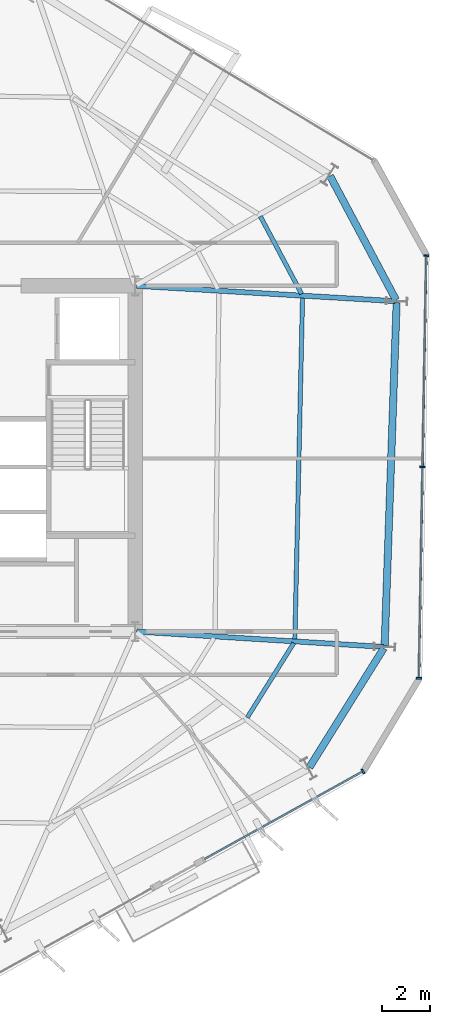
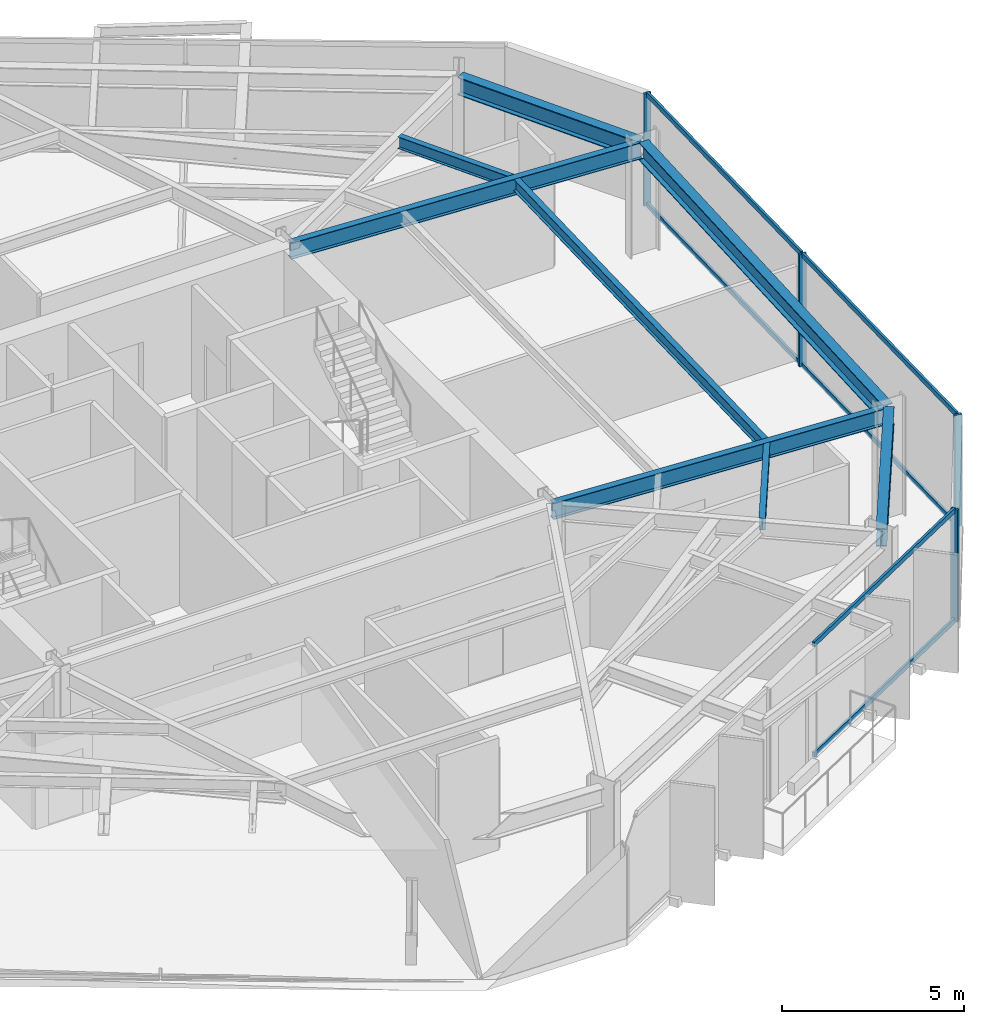
# One storey, part 4 of 11: 10 members, 8 beams, 2 elements without a shape of their own.
"""IFC4 building model written with IfcOpenShell, lengths in metres."""

from ifc_helpers import new_model, si_unit, direction, frame, origin, origin_2d, place, context, subcontext, project, spatial, rectangle, i_section, extrude, material, layer, layer_set, material_profile, profile_set, type_object, element, aggregate, save


model = new_model("IFC4")

# Units and contexts
model_context = context("Model", 3, precision=1e-05, world=origin(), true_north=direction((0.0, 1.0)))
body_context = subcontext(model_context, "Body", "Model", "MODEL_VIEW")
ifc_project = project(units=[si_unit("LENGTHUNIT", "METRE"), si_unit("AREAUNIT", "SQUARE_METRE"), si_unit("VOLUMEUNIT", "CUBIC_METRE"), si_unit("PLANEANGLEUNIT", "RADIAN"), si_unit("MASSUNIT", "GRAM", prefix="KILO")], contexts=[model_context])

# Site, building, storey
site_placement = place(None, origin())
site = spatial("IfcSite", under=ifc_project, at=site_placement, CompositionType="ELEMENT")
building_placement = place(site_placement, origin())
building = spatial("IfcBuilding", under=site, at=building_placement, Name="Kranzbogen Civic Tower", CompositionType="ELEMENT")
storey_placement = place(building_placement, frame((0.0, 0.0, 138.39990234375)))
storey = spatial("IfcBuildingStorey", under=building, at=storey_placement, Name="L33", CompositionType="ELEMENT", Elevation=138.39990234375)

# Curtain wall, member
ifc_material_1 = material(Name="Pale Anodised Aluminium", Category="aluminium")
ifc_layer = layer(ifc_material_1, 0.219970703125, Name="Pale Anodised Aluminium")
ifc_layer_set = layer_set([ifc_layer], Name="Pale Anodised Aluminium")
curtain_wall_type = type_object("IfcCurtainWallType", Name="Zone 2 Stick Curtain Wall System CW-03", PredefinedType="USERDEFINED", material=ifc_layer_set)
curtain_wall_1_placement = place(storey_placement, origin())
curtain_wall_1 = element("IfcCurtainWall", 1, at=curtain_wall_1_placement, inside=storey, type_object=curtain_wall_type, Name="L33 curtain wall CW-L33-F5-S2", ObjectType="STICK CURTAIN WALL", PredefinedType="USERDEFINED")
ifc_material_profile_1 = material_profile(ifc_material_1, rectangle(XDim=0.074951171875, YDim=0.219970703125, at=origin_2d()), Name="ALU-M 75x220")
ifc_profile_set_1 = profile_set([ifc_material_profile_1], Name="Pale Anodised Aluminium")
member_type_1 = type_object("IfcMemberType", Name="Curtain Wall Mullion ALU-M 75x220", PredefinedType="MULLION", material=ifc_profile_set_1)
member_1_placement = place(storey_placement, frame((42.28564453125, 11.975341796875, 0.0), z_axis=(0.0, 0.0, 1.0), x_axis=(0.874626457599, 0.484797441894, 0.0)))
member_1 = element("IfcMember", 2, at=member_1_placement, type_object=member_type_1, Name="CW-03 mullion 2", PredefinedType="MULLION", context=body_context, shape_type="SweptSolid", body=[
    extrude(rectangle(XDim=0.074951171875, YDim=0.219970703125, at=origin_2d()), origin(), (0.0, 0.0, 1.0), 3.760009765625),
])

# Curtain wall, members
curtain_wall_2_placement = place(storey_placement, origin())
curtain_wall_2 = element("IfcCurtainWall", 3, at=curtain_wall_2_placement, inside=storey, type_object=curtain_wall_type, Name="L33 curtain wall CW-L33-F6", ObjectType="STICK CURTAIN WALL", PredefinedType="USERDEFINED")
member_2_placement = place(storey_placement, frame((44.615478515625, 15.85205078125, 0.0), z_axis=(0.0, 0.0, 1.0), x_axis=(0.017431971008, 0.999848051649, 0.0)))
member_2 = element("IfcMember", 4, at=member_2_placement, type_object=member_type_1, Name="CW-03 mullion 1", PredefinedType="MULLION", context=body_context, shape_type="SweptSolid", body=[
    extrude(rectangle(XDim=0.074951171875, YDim=0.219970703125, at=origin_2d()), origin(), (0.0, 0.0, 1.0), 3.760009765625),
])
member_3_placement = place(storey_placement, frame((44.76904296875, 24.655029296875, 0.0), z_axis=(0.0, 0.0, 1.0), x_axis=(0.017431971008, 0.999848051649, 0.0)))
member_3 = element("IfcMember", 5, at=member_3_placement, type_object=member_type_1, Name="CW-03 mullion 2", PredefinedType="MULLION", context=body_context, shape_type="SweptSolid", body=[
    extrude(rectangle(XDim=0.074951171875, YDim=0.219970703125, at=origin_2d()), origin(), (0.0, 0.0, 1.0), 3.760009765625),
])
member_4_placement = place(storey_placement, frame((44.92236328125, 33.4580078125, 0.0), z_axis=(0.0, 0.0, 1.0), x_axis=(0.017431971008, 0.999848051649, 0.0)))
member_4 = element("IfcMember", 6, at=member_4_placement, type_object=member_type_1, Name="CW-03 mullion 3", PredefinedType="MULLION", context=body_context, shape_type="SweptSolid", body=[
    extrude(rectangle(XDim=0.074951171875, YDim=0.219970703125, at=origin_2d()), origin(), (0.0, 0.0, 1.0), 3.760009765625),
])

# Member
ifc_material_profile_2 = material_profile(ifc_material_1, rectangle(XDim=0.074951171875, YDim=0.1650390625, at=origin_2d()), Name="ALU-T 75x165")
ifc_profile_set_2 = profile_set([ifc_material_profile_2], Name="Pale Anodised Aluminium")
member_type_2 = type_object("IfcMemberType", Name="Curtain Wall Transom ALU-T 75x165", PredefinedType="USERDEFINED", material=ifc_profile_set_2)
member_5_placement = place(storey_placement, frame((35.6875, 8.318115234375, 0.030029296875), z_axis=(0.874625842729, 0.484798551185, 0.0), x_axis=(-0.484798551185, 0.874625842729, 0.0)))
member_5 = element("IfcMember", 7, at=member_5_placement, type_object=member_type_2, Name="CW-03 transom 1.1", ObjectType="TRANSOM", PredefinedType="USERDEFINED", context=body_context, shape_type="SweptSolid", body=[
    extrude(rectangle(XDim=0.074951171875, YDim=0.1650390625, at=origin_2d()), origin(), (0.0, 0.0, 1.0), 7.51416015625),
])

member_6_placement = place(storey_placement, frame((35.6875, 8.318115234375, 3.72998046875), z_axis=(0.874625842729, 0.484798551185, 0.0), x_axis=(-0.484798551185, 0.874625842729, 0.0)))
member_6 = element("IfcMember", 8, at=member_6_placement, type_object=member_type_2, Name="CW-03 transom 1.2", ObjectType="TRANSOM", PredefinedType="USERDEFINED", context=body_context, shape_type="SweptSolid", body=[
    extrude(rectangle(XDim=0.074951171875, YDim=0.1650390625, at=origin_2d()), origin(), (0.0, 0.0, 1.0), 7.51416015625),
])

aggregate(curtain_wall_1, [member_1, member_5, member_6])

member_7_placement = place(storey_placement, frame((44.615966796875, 15.882080078125, 0.030029296875), z_axis=(0.017450080558, 0.999847735752, 0.0), x_axis=(-0.999847735752, 0.017450080558, 0.0)))
member_7 = element("IfcMember", 9, at=member_7_placement, type_object=member_type_2, Name="CW-03 transom 1.1", ObjectType="TRANSOM", PredefinedType="USERDEFINED", context=body_context, shape_type="SweptSolid", body=[
    extrude(rectangle(XDim=0.074951171875, YDim=0.1650390625, at=origin_2d()), origin(), (0.0, 0.0, 1.0), 8.744140625),
])

member_8_placement = place(storey_placement, frame((44.615966796875, 15.882080078125, 3.72998046875), z_axis=(0.017450080558, 0.999847735752, 0.0), x_axis=(-0.999847735752, 0.017450080558, 0.0)))
member_8 = element("IfcMember", 10, at=member_8_placement, type_object=member_type_2, Name="CW-03 transom 1.2", ObjectType="TRANSOM", PredefinedType="USERDEFINED", context=body_context, shape_type="SweptSolid", body=[
    extrude(rectangle(XDim=0.074951171875, YDim=0.1650390625, at=origin_2d()), origin(), (0.0, 0.0, 1.0), 8.744140625),
])

member_9_placement = place(storey_placement, frame((44.76953125, 24.68505859375, 0.030029296875), z_axis=(0.01742216891, 0.999848222497, 0.0), x_axis=(-0.999848222497, 0.01742216891, 0.0)))
member_9 = element("IfcMember", 11, at=member_9_placement, type_object=member_type_2, Name="CW-03 transom 2.1", ObjectType="TRANSOM", PredefinedType="USERDEFINED", context=body_context, shape_type="SweptSolid", body=[
    extrude(rectangle(XDim=0.074951171875, YDim=0.1650390625, at=origin_2d()), origin(), (0.0, 0.0, 1.0), 8.744140625),
])

member_10_placement = place(storey_placement, frame((44.76953125, 24.68505859375, 3.72998046875), z_axis=(0.01742216891, 0.999848222497, 0.0), x_axis=(-0.999848222497, 0.01742216891, 0.0)))
member_10 = element("IfcMember", 12, at=member_10_placement, type_object=member_type_2, Name="CW-03 transom 2.2", ObjectType="TRANSOM", PredefinedType="USERDEFINED", context=body_context, shape_type="SweptSolid", body=[
    extrude(rectangle(XDim=0.074951171875, YDim=0.1650390625, at=origin_2d()), origin(), (0.0, 0.0, 1.0), 8.744140625),
])

aggregate(curtain_wall_2, [member_2, member_3, member_4, member_7, member_8, member_9, member_10])

# Beams
ifc_material_2 = material(Name="Steel S355", Category="steel")
ifc_material_profile_3 = material_profile(ifc_material_2, i_section(OverallWidth=0.300048828125, OverallDepth=0.60009765625, WebThickness=0.015380859375, FlangeThickness=0.030029296875, at=origin_2d()), Name="HEB 600")
ifc_profile_set_3 = profile_set([ifc_material_profile_3], Name="Steel S355")
beam_type_1 = type_object("IfcBeamType", Name="Perimeter Tube Spandrel Beam HEB 600", PredefinedType="SPANDREL", material=ifc_profile_set_3)
beam_1_placement = place(storey_placement, frame((40.054931640625, 12.14306640625, 3.460205078125), z_axis=(0.529863902903, 0.848082687242, 0.0), x_axis=(-0.848082687242, 0.529863902903, 0.0)))
element("IfcBeam", 13, at=beam_1_placement, inside=storey, type_object=beam_type_1, Name="L33 perimeter spandrel beam 05", PredefinedType="SPANDREL", context=body_context, shape_type="SweptSolid", body=[
    extrude(i_section(OverallWidth=0.300048828125, OverallDepth=0.60009765625, WebThickness=0.015380859375, FlangeThickness=0.030029296875, at=origin_2d()), origin(), (0.0, 0.0, 1.0), 5.850830078125),
])
beam_2_placement = place(storey_placement, frame((43.18896484375, 17.216064453125, 3.460205078125), z_axis=(0.034924229103, 0.999389963038, 0.0), x_axis=(-0.999389963038, 0.034924229103, 0.0)))
element("IfcBeam", 14, at=beam_2_placement, inside=storey, type_object=beam_type_1, Name="L33 perimeter spandrel beam 06", PredefinedType="SPANDREL", context=body_context, shape_type="SweptSolid", body=[
    extrude(i_section(OverallWidth=0.300048828125, OverallDepth=0.60009765625, WebThickness=0.015380859375, FlangeThickness=0.030029296875, at=origin_2d()), origin(), (0.0, 0.0, 1.0), 14.288818359375),
])
beam_3_placement = place(storey_placement, frame((43.662109375, 31.60888671875, 3.460205078125), z_axis=(-0.469565926668, 0.882897412224, 0.0), x_axis=(-0.882897412224, -0.469565926668, 0.0)))
element("IfcBeam", 15, at=beam_3_placement, inside=storey, type_object=beam_type_1, Name="L33 perimeter spandrel beam 07", PredefinedType="SPANDREL", context=body_context, shape_type="SweptSolid", body=[
    extrude(i_section(OverallWidth=0.300048828125, OverallDepth=0.60009765625, WebThickness=0.015380859375, FlangeThickness=0.030029296875, at=origin_2d()), origin(), (0.0, 0.0, 1.0), 5.852294921875),
])
ifc_material_profile_4 = material_profile(ifc_material_2, i_section(OverallWidth=0.2099609375, OverallDepth=0.550048828125, WebThickness=0.010986328125, FlangeThickness=0.01708984375, at=origin_2d()), Name="IPE 550")
ifc_profile_set_4 = profile_set([ifc_material_profile_4], Name="Steel S355")
beam_type_2 = type_object("IfcBeamType", Name="Radial Tower Floor Girder IPE 550", PredefinedType="BEAM", material=ifc_profile_set_4)
beam_4_placement = place(storey_placement, frame((43.126953125, 17.159912109375, 3.485107421875), z_axis=(-0.998086872961, 0.061827130147, 0.0), x_axis=(-0.061827130147, -0.998086872961, 0.0)))
element("IfcBeam", 16, at=beam_4_placement, inside=storey, type_object=beam_type_2, Name="L33 radial floor girder 06", PredefinedType="BEAM", context=body_context, shape_type="SweptSolid", body=[
    extrude(i_section(OverallWidth=0.2099609375, OverallDepth=0.550048828125, WebThickness=0.010986328125, FlangeThickness=0.01708984375, at=origin_2d()), origin(), (0.0, 0.0, 1.0), 10.28662109375),
])
beam_5_placement = place(storey_placement, frame((43.6298828125, 31.56005859375, 3.485107421875), z_axis=(-0.998260925387, 0.058950189528, 0.0), x_axis=(-0.058950189528, -0.998260925387, 0.0)))
element("IfcBeam", 17, at=beam_5_placement, inside=storey, type_object=beam_type_2, Name="L33 radial floor girder 07", PredefinedType="BEAM", context=body_context, shape_type="SweptSolid", body=[
    extrude(i_section(OverallWidth=0.2099609375, OverallDepth=0.550048828125, WebThickness=0.010986328125, FlangeThickness=0.01708984375, at=origin_2d()), origin(), (0.0, 0.0, 1.0), 10.78857421875),
])
ifc_material_profile_5 = material_profile(ifc_material_2, i_section(OverallWidth=0.179931640625, OverallDepth=0.39990234375, WebThickness=0.008544921875, FlangeThickness=0.013427734375, at=origin_2d()), Name="IPE 400")
ifc_profile_set_5 = profile_set([ifc_material_profile_5], Name="Steel S355")
beam_type_3 = type_object("IfcBeamType", Name="Secondary Composite Floor Joist IPE 400", PredefinedType="JOIST", material=ifc_profile_set_5)
beam_6_placement = place(storey_placement, frame((37.465087890625, 14.215087890625, 3.56005859375), z_axis=(0.529867065107, 0.848080711557, 0.0), x_axis=(-0.848080711557, 0.529867065107, 0.0)))
element("IfcBeam", 18, at=beam_6_placement, inside=storey, type_object=beam_type_3, Name="L33 secondary floor joist 1.05", PredefinedType="JOIST", context=body_context, shape_type="SweptSolid", body=[
    extrude(i_section(OverallWidth=0.179931640625, OverallDepth=0.39990234375, WebThickness=0.008544921875, FlangeThickness=0.013427734375, at=origin_2d()), origin(), (0.0, 0.0, 1.0), 3.6611328125),
])
beam_7_placement = place(storey_placement, frame((39.448974609375, 17.468017578125, 3.56005859375), z_axis=(0.022402523442, 0.999749031979, 0.0), x_axis=(-0.999749031979, 0.022402523442, 0.0)))
element("IfcBeam", 19, at=beam_7_placement, inside=storey, type_object=beam_type_3, Name="L33 secondary floor joist 1.06", PredefinedType="JOIST", context=body_context, shape_type="SweptSolid", body=[
    extrude(i_section(OverallWidth=0.179931640625, OverallDepth=0.39990234375, WebThickness=0.008544921875, FlangeThickness=0.013427734375, at=origin_2d()), origin(), (0.0, 0.0, 1.0), 14.24365234375),
])
beam_8_placement = place(storey_placement, frame((39.73193359375, 31.85791015625, 3.56005859375), z_axis=(-0.469338791783, 0.88301817565, 0.0), x_axis=(-0.88301817565, -0.469338791783, 0.0)))
element("IfcBeam", 20, at=beam_8_placement, inside=storey, type_object=beam_type_3, Name="L33 secondary floor joist 1.07", PredefinedType="JOIST", context=body_context, shape_type="SweptSolid", body=[
    extrude(i_section(OverallWidth=0.179931640625, OverallDepth=0.39990234375, WebThickness=0.008544921875, FlangeThickness=0.013427734375, at=origin_2d()), origin(), (0.0, 0.0, 1.0), 3.66259765625),
])

save(model, "model.ifc")
